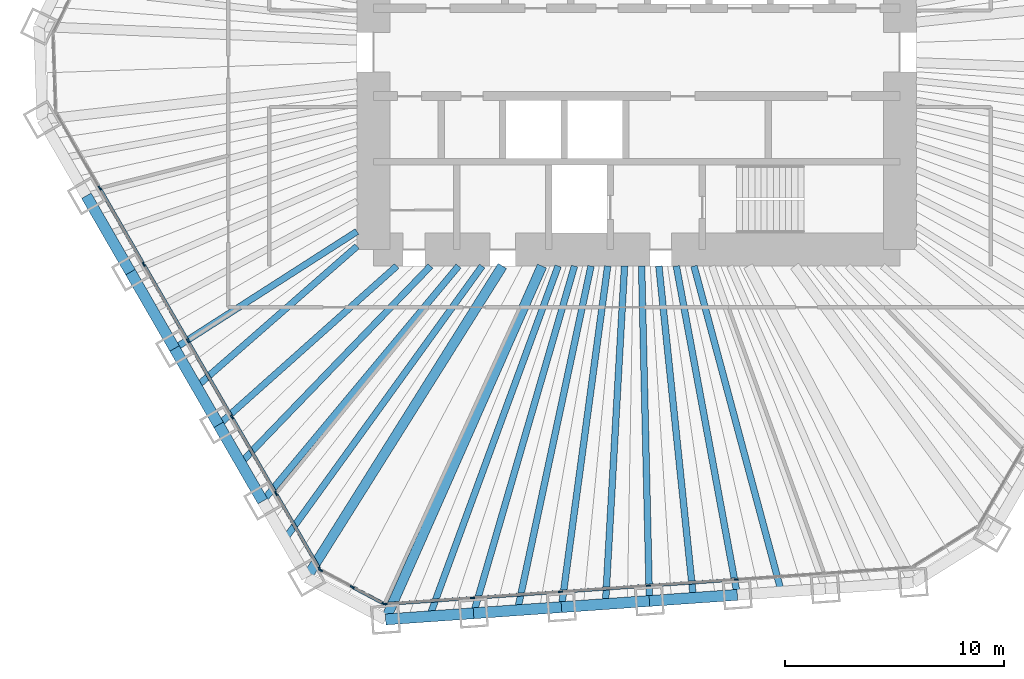
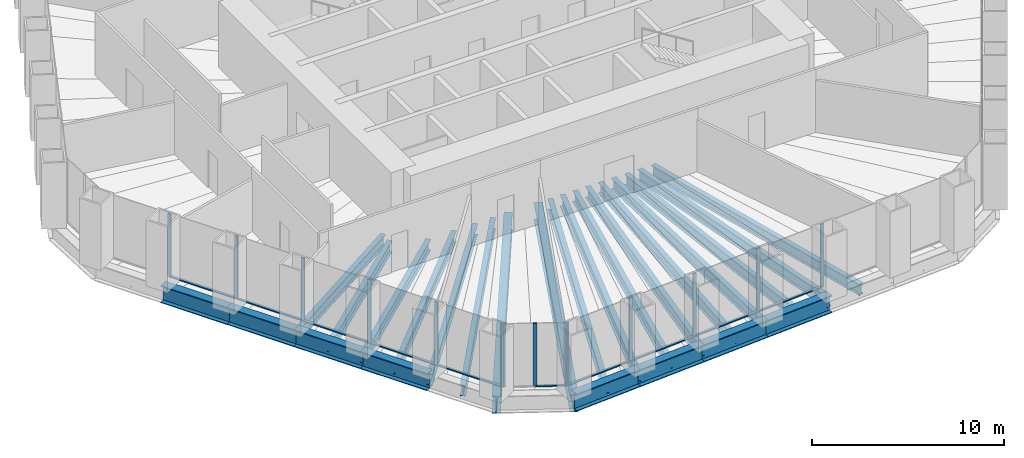
# One storey, part 2 of 13: 25 beams, 24 members, 3 elements without a shape of their own.
"""IFC4 building model written with IfcOpenShell, lengths in metres."""

from ifc_helpers import new_model, si_unit, direction, frame, origin, origin_2d, place, context, subcontext, project, spatial, rectangle, i_section, extrude, material, material_profile, profile_set, type_object, element, aggregate, save


model = new_model("IFC4")

# Units and contexts
model_context = context("Model", 3, precision=1e-05, world=origin(), true_north=direction((0.0, 1.0)))
body_context = subcontext(model_context, "Body", "Model", "MODEL_VIEW")
ifc_project = project(units=[si_unit("LENGTHUNIT", "METRE"), si_unit("AREAUNIT", "SQUARE_METRE"), si_unit("VOLUMEUNIT", "CUBIC_METRE"), si_unit("PLANEANGLEUNIT", "RADIAN"), si_unit("MASSUNIT", "GRAM", prefix="KILO")], contexts=[model_context])

# Site, building, storey
site_placement = place(None, origin())
site = spatial("IfcSite", under=ifc_project, at=site_placement, CompositionType="ELEMENT")
building_placement = place(site_placement, origin())
building = spatial("IfcBuilding", under=site, at=building_placement, Name="Qingtian Harvest Tower", CompositionType="ELEMENT")
storey_placement = place(building_placement, frame((0.0, 0.0, 149.199951171875)))
storey = spatial("IfcBuildingStorey", under=building, at=storey_placement, Name="L31", CompositionType="ELEMENT", Elevation=149.199951171875)

# Beams
ifc_material_1 = material(Name="Steel SM570MC", Category="steel")
ifc_material_profile_1 = material_profile(ifc_material_1, i_section(OverallWidth=0.449951171875, OverallDepth=1.10009765625, WebThickness=0.02197265625, FlangeThickness=0.044921875, at=origin_2d()), Name="H1100x450x22x45")
ifc_profile_set_1 = profile_set([ifc_material_profile_1], Name="Steel SM570MC")
beam_type_1 = type_object("IfcBeamType", Name="Corner floor beam FB8 H1100x450x22x45", PredefinedType="BEAM", material=ifc_profile_set_1)
beam_1_placement = place(storey_placement, frame((-11.445556640625, -25.861328125, -0.719970703125), z_axis=(0.404705702755, 0.914446988161, 0.0), x_axis=(-0.914446988161, 0.404705702755, 0.0)))
element("IfcBeam", 1, at=beam_1_placement, inside=storey, type_object=beam_type_1, Name="Floor beam FB8 S6", PredefinedType="BEAM", context=body_context, shape_type="SweptSolid", body=[
    extrude(i_section(OverallWidth=0.449951171875, OverallDepth=1.10009765625, WebThickness=0.02197265625, FlangeThickness=0.044921875, at=origin_2d()), origin(), (0.0, 0.0, 1.0), 17.61865234375),
])
beam_2_placement = place(storey_placement, frame((-15.039794921875, -23.950439453125, -0.719970703125), z_axis=(0.531797274443, 0.846871689747, 0.0), x_axis=(-0.846871689747, 0.531797274443, 0.0)))
element("IfcBeam", 2, at=beam_2_placement, inside=storey, type_object=beam_type_1, Name="Floor beam FB8 SW0", PredefinedType="BEAM", context=body_context, shape_type="SweptSolid", body=[
    extrude(i_section(OverallWidth=0.449951171875, OverallDepth=1.10009765625, WebThickness=0.02197265625, FlangeThickness=0.044921875, at=origin_2d()), origin(), (0.0, 0.0, 1.0), 16.76806640625),
])
ifc_material_2 = material(Name="Steel SN490B", Category="steel")
ifc_material_profile_2 = material_profile(ifc_material_2, i_section(OverallWidth=0.300048828125, OverallDepth=0.75, WebThickness=0.013916015625, FlangeThickness=0.02490234375, at=origin_2d()), Name="H750x300x14x25")
ifc_profile_set_2 = profile_set([ifc_material_profile_2], Name="Steel SN490B")
beam_type_2 = type_object("IfcBeamType", Name="Floor beam FB12 H750x300x14x25", PredefinedType="BEAM", material=ifc_profile_set_2)
beam_3_placement = place(storey_placement, frame((-7.436279296875, -25.5810546875, -0.544921875), z_axis=(0.279142362954, 0.960249728562, 0.0), x_axis=(-0.960249728562, 0.279142362954, 0.0)))
element("IfcBeam", 3, at=beam_3_placement, inside=storey, type_object=beam_type_2, Name="Floor beam FB12 S5", PredefinedType="BEAM", context=body_context, shape_type="SweptSolid", body=[
    extrude(i_section(OverallWidth=0.300048828125, OverallDepth=0.75, WebThickness=0.013916015625, FlangeThickness=0.02490234375, at=origin_2d()), origin(), (0.0, 0.0, 1.0), 16.486328125),
])
ifc_material_3 = material(Name="Steel SN490B", Category="steel")
ifc_material_profile_3 = material_profile(ifc_material_3, i_section(OverallWidth=0.300048828125, OverallDepth=0.699951171875, WebThickness=0.012939453125, FlangeThickness=0.02392578125, at=origin_2d()), Name="H700x300x13x24")
ifc_profile_set_3 = profile_set([ifc_material_profile_3], Name="Steel SN490B")
beam_type_3 = type_object("IfcBeamType", Name="Floor beam FB2 H700x300x13x24", PredefinedType="BEAM", material=ifc_profile_set_3)
beam_4_placement = place(storey_placement, frame((4.591552734375, -24.739990234375, -0.52001953125), z_axis=(-0.182473442032, 0.983210782565, 0.0), x_axis=(-0.983210782565, -0.182473442032, 0.0)))
element("IfcBeam", 4, at=beam_4_placement, inside=storey, type_object=beam_type_3, Name="Floor beam FB2 S2", PredefinedType="BEAM", context=body_context, shape_type="SweptSolid", body=[
    extrude(i_section(OverallWidth=0.300048828125, OverallDepth=0.699951171875, WebThickness=0.012939453125, FlangeThickness=0.02392578125, at=origin_2d()), origin(), (0.0, 0.0, 1.0), 15.245849609375),
])
beam_5_placement = place(storey_placement, frame((0.582275390625, -25.020263671875, -0.52001953125), z_axis=(-0.023272189962, 0.999729165912, 0.0), x_axis=(-0.999729165912, -0.023272189962, 0.0)))
element("IfcBeam", 5, at=beam_5_placement, inside=storey, type_object=beam_type_3, Name="Floor beam FB2 S3", PredefinedType="BEAM", context=body_context, shape_type="SweptSolid", body=[
    extrude(i_section(OverallWidth=0.300048828125, OverallDepth=0.699951171875, WebThickness=0.012939453125, FlangeThickness=0.02392578125, at=origin_2d()), origin(), (0.0, 0.0, 1.0), 15.2744140625),
])
beam_6_placement = place(storey_placement, frame((-3.427001953125, -25.30078125, -0.52001953125), z_axis=(0.134230066005, 0.990950195207, 0.0), x_axis=(-0.990950195207, 0.134230066005, 0.0)))
element("IfcBeam", 6, at=beam_6_placement, inside=storey, type_object=beam_type_3, Name="Floor beam FB2 S4", PredefinedType="BEAM", context=body_context, shape_type="SweptSolid", body=[
    extrude(i_section(OverallWidth=0.300048828125, OverallDepth=0.699951171875, WebThickness=0.012939453125, FlangeThickness=0.02392578125, at=origin_2d()), origin(), (0.0, 0.0, 1.0), 15.69287109375),
])
beam_7_placement = place(storey_placement, frame((-17.04931640625, -20.4697265625, -0.52001953125), z_axis=(0.639988150605, 0.768384778015, 0.0), x_axis=(-0.768384778015, 0.639988150605, 0.0)))
element("IfcBeam", 7, at=beam_7_placement, inside=storey, type_object=beam_type_3, Name="Floor beam FB2 SW1", PredefinedType="BEAM", context=body_context, shape_type="SweptSolid", body=[
    extrude(i_section(OverallWidth=0.300048828125, OverallDepth=0.699951171875, WebThickness=0.012939453125, FlangeThickness=0.02392578125, at=origin_2d()), origin(), (0.0, 0.0, 1.0), 13.950927734375),
])
beam_8_placement = place(storey_placement, frame((-19.058837890625, -16.989013671875, -0.52001953125), z_axis=(0.746483707908, 0.665403692376, 0.0), x_axis=(-0.665403692376, 0.746483707908, 0.0)))
element("IfcBeam", 8, at=beam_8_placement, inside=storey, type_object=beam_type_3, Name="Floor beam FB2 SW2", PredefinedType="BEAM", context=body_context, shape_type="SweptSolid", body=[
    extrude(i_section(OverallWidth=0.300048828125, OverallDepth=0.699951171875, WebThickness=0.012939453125, FlangeThickness=0.02392578125, at=origin_2d()), origin(), (0.0, 0.0, 1.0), 10.879150390625),
])
beam_9_placement = place(storey_placement, frame((-21.068359375, -13.508544921875, -0.52001953125), z_axis=(0.841823295753, 0.539753220211, 0.0), x_axis=(-0.539753220211, 0.841823295753, 0.0)))
element("IfcBeam", 9, at=beam_9_placement, inside=storey, type_object=beam_type_3, Name="Floor beam FB2 SW3", PredefinedType="BEAM", context=body_context, shape_type="SweptSolid", body=[
    extrude(i_section(OverallWidth=0.300048828125, OverallDepth=0.699951171875, WebThickness=0.012939453125, FlangeThickness=0.02392578125, at=origin_2d()), origin(), (0.0, 0.0, 1.0), 9.88134765625),
])
ifc_material_4 = material(Name="Steel SN490B", Category="steel")
ifc_material_profile_4 = material_profile(ifc_material_4, i_section(OverallWidth=0.300048828125, OverallDepth=0.699951171875, WebThickness=0.012939453125, FlangeThickness=0.02392578125, at=origin_2d()), Name="H700x300x13x24")
ifc_profile_set_4 = profile_set([ifc_material_profile_4], Name="Steel SN490B")
beam_type_4 = type_object("IfcBeamType", Name="Floor joist J2 H700x300x13x24", PredefinedType="JOIST", material=ifc_profile_set_4)
beam_10_placement = place(storey_placement, frame((6.59619140625, -24.599853515625, -0.52001953125), z_axis=(-0.258996688759, 0.965878209306, 0.0), x_axis=(-0.965878209306, -0.258996688759, 0.0)))
element("IfcBeam", 10, at=beam_10_placement, inside=storey, type_object=beam_type_4, Name="Floor joist J2 S1", PredefinedType="JOIST", context=body_context, shape_type="SweptSolid", body=[
    extrude(i_section(OverallWidth=0.300048828125, OverallDepth=0.699951171875, WebThickness=0.012939453125, FlangeThickness=0.02392578125, at=origin_2d()), origin(), (0.0, 0.0, 1.0), 15.37451171875),
])
beam_11_placement = place(storey_placement, frame((2.5869140625, -24.880126953125, -0.52001953125), z_axis=(-0.103423163361, 0.994637446148, 0.0), x_axis=(-0.994637446148, -0.103423163361, 0.0)))
element("IfcBeam", 11, at=beam_11_placement, inside=storey, type_object=beam_type_4, Name="Floor joist J2 S2", PredefinedType="JOIST", context=body_context, shape_type="SweptSolid", body=[
    extrude(i_section(OverallWidth=0.300048828125, OverallDepth=0.699951171875, WebThickness=0.012939453125, FlangeThickness=0.02392578125, at=origin_2d()), origin(), (0.0, 0.0, 1.0), 15.211669921875),
])
beam_12_placement = place(storey_placement, frame((-1.42236328125, -25.160400390625, -0.52001953125), z_axis=(0.05643626267, 0.998406204035, 0.0), x_axis=(-0.998406204035, 0.05643626267, 0.0)))
element("IfcBeam", 12, at=beam_12_placement, inside=storey, type_object=beam_type_4, Name="Floor joist J2 S3", PredefinedType="JOIST", context=body_context, shape_type="SweptSolid", body=[
    extrude(i_section(OverallWidth=0.300048828125, OverallDepth=0.699951171875, WebThickness=0.012939453125, FlangeThickness=0.02392578125, at=origin_2d()), origin(), (0.0, 0.0, 1.0), 15.43505859375),
])
beam_13_placement = place(storey_placement, frame((-5.431640625, -25.44091796875, -0.52001953125), z_axis=(0.208799533611, 0.977958462699, 0.0), x_axis=(-0.977958462699, 0.208799533611, 0.0)))
element("IfcBeam", 13, at=beam_13_placement, inside=storey, type_object=beam_type_4, Name="Floor joist J2 S4", PredefinedType="JOIST", context=body_context, shape_type="SweptSolid", body=[
    extrude(i_section(OverallWidth=0.300048828125, OverallDepth=0.699951171875, WebThickness=0.012939453125, FlangeThickness=0.02392578125, at=origin_2d()), origin(), (0.0, 0.0, 1.0), 16.044677734375),
])
beam_14_placement = place(storey_placement, frame((-9.44091796875, -25.72119140625, -0.52001953125), z_axis=(0.344563279886, 0.938763093732, 0.0), x_axis=(-0.938763093732, 0.344563279886, 0.0)))
element("IfcBeam", 14, at=beam_14_placement, inside=storey, type_object=beam_type_4, Name="Floor joist J2 S5", PredefinedType="JOIST", context=body_context, shape_type="SweptSolid", body=[
    extrude(i_section(OverallWidth=0.300048828125, OverallDepth=0.699951171875, WebThickness=0.012939453125, FlangeThickness=0.02392578125, at=origin_2d()), origin(), (0.0, 0.0, 1.0), 17.012939453125),
])
beam_15_placement = place(storey_placement, frame((-16.04443359375, -22.2099609375, -0.52001953125), z_axis=(0.585581016658, 0.810613886465, 0.0), x_axis=(-0.810613886465, 0.585581016658, 0.0)))
element("IfcBeam", 15, at=beam_15_placement, inside=storey, type_object=beam_type_4, Name="Floor joist J2 SW0", PredefinedType="JOIST", context=body_context, shape_type="SweptSolid", body=[
    extrude(i_section(OverallWidth=0.300048828125, OverallDepth=0.699951171875, WebThickness=0.012939453125, FlangeThickness=0.02392578125, at=origin_2d()), origin(), (0.0, 0.0, 1.0), 15.37109375),
])
beam_16_placement = place(storey_placement, frame((-18.053955078125, -18.7294921875, -0.52001953125), z_axis=(0.693999346894, 0.719975629108, 0.0), x_axis=(-0.719975629108, 0.693999346894, 0.0)))
element("IfcBeam", 16, at=beam_16_placement, inside=storey, type_object=beam_type_4, Name="Floor joist J2 SW1", PredefinedType="JOIST", context=body_context, shape_type="SweptSolid", body=[
    extrude(i_section(OverallWidth=0.300048828125, OverallDepth=0.699951171875, WebThickness=0.012939453125, FlangeThickness=0.02392578125, at=origin_2d()), origin(), (0.0, 0.0, 1.0), 12.471923828125),
])
beam_17_placement = place(storey_placement, frame((-20.063720703125, -15.248779296875, -0.52001953125), z_axis=(0.752618713562, 0.658456583228, 0.0), x_axis=(-0.658456583228, 0.752618713562, 0.0)))
element("IfcBeam", 17, at=beam_17_placement, inside=storey, type_object=beam_type_4, Name="Floor joist J2 SW2", PredefinedType="JOIST", context=body_context, shape_type="SweptSolid", body=[
    extrude(i_section(OverallWidth=0.300048828125, OverallDepth=0.699951171875, WebThickness=0.012939453125, FlangeThickness=0.02392578125, at=origin_2d()), origin(), (0.0, 0.0, 1.0), 9.7177734375),
])

# Curtain wall, members
ifc_material_5 = material(Name="Bronze-anodised aluminium curtain wall", Category="aluminium")
curtain_wall_type = type_object("IfcCurtainWallType", Name="Curtain wall CW4 office", PredefinedType="USERDEFINED", material=ifc_material_5)
curtain_wall_1_placement = place(storey_placement, origin())
curtain_wall_1 = element("IfcCurtainWall", 18, at=curtain_wall_1_placement, inside=storey, type_object=curtain_wall_type, Name="Curtain wall CW4 L31 S0-5", ObjectType="RECESSED CURTAIN WALL", PredefinedType="USERDEFINED")
ifc_material_6 = material(Name="Bronze-anodised aluminium mullion", Category="aluminium")
ifc_material_profile_5 = material_profile(ifc_material_6, rectangle(XDim=0.06494140625, YDim=0.199951171875, at=origin_2d()), Name="AL 65x200")
ifc_profile_set_5 = profile_set([ifc_material_profile_5], Name="Bronze-anodised aluminium mullion")
member_type_1 = type_object("IfcMemberType", Name="Mullion CWM 65x200", PredefinedType="MULLION", material=ifc_profile_set_5)
member_1_placement = place(storey_placement, frame((4.542724609375, -24.041748046875, 0.0), z_axis=(0.0, 0.0, 1.0), x_axis=(0.069756473744, -0.99756405026, 0.0)))
member_1 = element("IfcMember", 19, at=member_1_placement, type_object=member_type_1, Name="CW4 mullion 3", PredefinedType="MULLION", context=body_context, shape_type="SweptSolid", body=[
    extrude(rectangle(XDim=0.06494140625, YDim=0.199951171875, at=origin_2d()), origin(), (0.0, 0.0, 1.0), 4.030029296875),
])
member_2_placement = place(storey_placement, frame((0.533447265625, -24.322021484375, 0.0), z_axis=(0.0, 0.0, 1.0), x_axis=(0.069756473744, -0.99756405026, 0.0)))
member_2 = element("IfcMember", 20, at=member_2_placement, type_object=member_type_1, Name="CW4 mullion 4", PredefinedType="MULLION", context=body_context, shape_type="SweptSolid", body=[
    extrude(rectangle(XDim=0.06494140625, YDim=0.199951171875, at=origin_2d()), origin(), (0.0, 0.0, 1.0), 4.030029296875),
])
member_3_placement = place(storey_placement, frame((-3.475830078125, -24.602294921875, 0.0), z_axis=(0.0, 0.0, 1.0), x_axis=(0.069756473744, -0.99756405026, 0.0)))
member_3 = element("IfcMember", 21, at=member_3_placement, type_object=member_type_1, Name="CW4 mullion 5", PredefinedType="MULLION", context=body_context, shape_type="SweptSolid", body=[
    extrude(rectangle(XDim=0.06494140625, YDim=0.199951171875, at=origin_2d()), origin(), (0.0, 0.0, 1.0), 4.030029296875),
])
member_4_placement = place(storey_placement, frame((-7.485107421875, -24.8828125, 0.0), z_axis=(0.0, 0.0, 1.0), x_axis=(0.069756473744, -0.99756405026, 0.0)))
member_4 = element("IfcMember", 22, at=member_4_placement, type_object=member_type_1, Name="CW4 mullion 6", PredefinedType="MULLION", context=body_context, shape_type="SweptSolid", body=[
    extrude(rectangle(XDim=0.06494140625, YDim=0.199951171875, at=origin_2d()), origin(), (0.0, 0.0, 1.0), 4.030029296875),
])
member_5_placement = place(storey_placement, frame((-11.4619140625, -25.160888671875, 0.0), z_axis=(0.0, 0.0, 1.0), x_axis=(0.069756473744, -0.99756405026, 0.0)))
member_5 = element("IfcMember", 23, at=member_5_placement, type_object=member_type_1, Name="CW4 mullion 7", PredefinedType="MULLION", context=body_context, shape_type="SweptSolid", body=[
    extrude(rectangle(XDim=0.06494140625, YDim=0.199951171875, at=origin_2d()), origin(), (0.0, 0.0, 1.0), 4.030029296875),
])

curtain_wall_2_placement = place(storey_placement, origin())
curtain_wall_2 = element("IfcCurtainWall", 24, at=curtain_wall_2_placement, inside=storey, type_object=curtain_wall_type, Name="Curtain wall CW4 L31 SC", ObjectType="RECESSED CURTAIN WALL", PredefinedType="USERDEFINED")
member_6_placement = place(storey_placement, frame((-11.523193359375, -25.14794921875, 0.0), z_axis=(0.0, 0.0, 1.0), x_axis=(-0.469471562786, -0.882947592859, 0.0)))
member_6 = element("IfcMember", 25, at=member_6_placement, type_object=member_type_1, Name="CW4 mullion 1", PredefinedType="MULLION", context=body_context, shape_type="SweptSolid", body=[
    extrude(rectangle(XDim=0.06494140625, YDim=0.199951171875, at=origin_2d()), origin(), (0.0, 0.0, 1.0), 4.030029296875),
])
member_7_placement = place(storey_placement, frame((-12.964111328125, -24.3818359375, 0.0), z_axis=(0.0, 0.0, 1.0), x_axis=(-0.469471562786, -0.882947592859, 0.0)))
member_7 = element("IfcMember", 26, at=member_7_placement, type_object=member_type_1, Name="CW4 mullion 2", PredefinedType="MULLION", context=body_context, shape_type="SweptSolid", body=[
    extrude(rectangle(XDim=0.06494140625, YDim=0.199951171875, at=origin_2d()), origin(), (0.0, 0.0, 1.0), 4.030029296875),
])
member_8_placement = place(storey_placement, frame((-14.40478515625, -23.61572265625, 0.0), z_axis=(0.0, 0.0, 1.0), x_axis=(-0.469471562786, -0.882947592859, 0.0)))
member_8 = element("IfcMember", 27, at=member_8_placement, type_object=member_type_1, Name="CW4 mullion 3", PredefinedType="MULLION", context=body_context, shape_type="SweptSolid", body=[
    extrude(rectangle(XDim=0.06494140625, YDim=0.199951171875, at=origin_2d()), origin(), (0.0, 0.0, 1.0), 4.030029296875),
])

curtain_wall_3_placement = place(storey_placement, origin())
curtain_wall_3 = element("IfcCurtainWall", 28, at=curtain_wall_3_placement, inside=storey, type_object=curtain_wall_type, Name="Curtain wall CW4 L31 SW0-5", ObjectType="RECESSED CURTAIN WALL", PredefinedType="USERDEFINED")
member_9_placement = place(storey_placement, frame((-14.44970703125, -23.572265625, 0.0), z_axis=(0.0, 0.0, 1.0), x_axis=(-0.866025403784, -0.5, 0.0)))
member_9 = element("IfcMember", 29, at=member_9_placement, type_object=member_type_1, Name="CW4 mullion 1", PredefinedType="MULLION", context=body_context, shape_type="SweptSolid", body=[
    extrude(rectangle(XDim=0.06494140625, YDim=0.199951171875, at=origin_2d()), origin(), (0.0, 0.0, 1.0), 4.030029296875),
])
member_10_placement = place(storey_placement, frame((-16.443115234375, -20.11962890625, 0.0), z_axis=(0.0, 0.0, 1.0), x_axis=(-0.866025403784, -0.5, 0.0)))
member_10 = element("IfcMember", 30, at=member_10_placement, type_object=member_type_1, Name="CW4 mullion 2", PredefinedType="MULLION", context=body_context, shape_type="SweptSolid", body=[
    extrude(rectangle(XDim=0.06494140625, YDim=0.199951171875, at=origin_2d()), origin(), (0.0, 0.0, 1.0), 4.030029296875),
])
member_11_placement = place(storey_placement, frame((-18.45263671875, -16.63916015625, 0.0), z_axis=(0.0, 0.0, 1.0), x_axis=(-0.866025403784, -0.5, 0.0)))
member_11 = element("IfcMember", 31, at=member_11_placement, type_object=member_type_1, Name="CW4 mullion 3", PredefinedType="MULLION", context=body_context, shape_type="SweptSolid", body=[
    extrude(rectangle(XDim=0.06494140625, YDim=0.199951171875, at=origin_2d()), origin(), (0.0, 0.0, 1.0), 4.030029296875),
])
member_12_placement = place(storey_placement, frame((-20.462158203125, -13.158447265625, 0.0), z_axis=(0.0, 0.0, 1.0), x_axis=(-0.866025403784, -0.5, 0.0)))
member_12 = element("IfcMember", 32, at=member_12_placement, type_object=member_type_1, Name="CW4 mullion 4", PredefinedType="MULLION", context=body_context, shape_type="SweptSolid", body=[
    extrude(rectangle(XDim=0.06494140625, YDim=0.199951171875, at=origin_2d()), origin(), (0.0, 0.0, 1.0), 4.030029296875),
])
member_13_placement = place(storey_placement, frame((-22.4716796875, -9.677978515625, 0.0), z_axis=(0.0, 0.0, 1.0), x_axis=(-0.866025403784, -0.5, 0.0)))
member_13 = element("IfcMember", 33, at=member_13_placement, type_object=member_type_1, Name="CW4 mullion 5", PredefinedType="MULLION", context=body_context, shape_type="SweptSolid", body=[
    extrude(rectangle(XDim=0.06494140625, YDim=0.199951171875, at=origin_2d()), origin(), (0.0, 0.0, 1.0), 4.030029296875),
])
member_14_placement = place(storey_placement, frame((-24.481201171875, -6.197265625, 0.0), z_axis=(0.0, 0.0, 1.0), x_axis=(-0.866025403784, -0.5, 0.0)))
member_14 = element("IfcMember", 34, at=member_14_placement, type_object=member_type_1, Name="CW4 mullion 6", PredefinedType="MULLION", context=body_context, shape_type="SweptSolid", body=[
    extrude(rectangle(XDim=0.06494140625, YDim=0.199951171875, at=origin_2d()), origin(), (0.0, 0.0, 1.0), 4.030029296875),
])

# Beams
ifc_material_7 = material(Name="Steel SM570MC", Category="steel")
ifc_material_profile_6 = material_profile(ifc_material_7, i_section(OverallWidth=0.5, OverallDepth=1.10009765625, WebThickness=0.02490234375, FlangeThickness=0.050048828125, at=origin_2d()), Name="H1100x500x25x50")
ifc_profile_set_6 = profile_set([ifc_material_profile_6], Name="Steel SM570MC")
beam_type_5 = type_object("IfcBeamType", Name="Spandrel beam SB2 H1100x500x25x50", PredefinedType="SPANDREL", material=ifc_profile_set_6)
for number, where, z_axis, x_axis, name in (
    (35, (4.591552734375, -24.739990234375, -0.550048828125), (-0.997565479251, -0.069736035208, 0.0), (0.069736035208, -0.997565479251, 0.0), "Spandrel SB2 S2"),
    (36, (0.582275390625, -25.020263671875, -0.550048828125), (-0.997561251588, -0.069796485086, 0.0), (0.069796485086, -0.997561251588, 0.0), "Spandrel SB2 S3"),
    (37, (-3.427001953125, -25.30078125, -0.550048828125), (-0.997565479251, -0.069736035208, 0.0), (0.069736035208, -0.997565479251, 0.0), "Spandrel SB2 S4"),
    (38, (-7.436279296875, -25.5810546875, -0.550048828125), (-0.997565479251, -0.069736035208, 0.0), (0.069736035208, -0.997565479251, 0.0), "Spandrel SB2 S5"),
    (39, (-17.04931640625, -20.4697265625, -0.550048828125), (-0.499987116613, 0.866032841884, 0.0), (-0.866032841884, -0.499987116613, 0.0), "Spandrel SB2 SW1"),
    (40, (-19.058837890625, -16.989013671875, -0.550048828125), (-0.500013420409, 0.866017655369, 0.0), (-0.866017655369, -0.500013420409, 0.0), "Spandrel SB2 SW2"),
    (41, (-21.068359375, -13.508544921875, -0.550048828125), (-0.499987116613, 0.866032841884, 0.0), (-0.866032841884, -0.499987116613, 0.0), "Spandrel SB2 SW3"),
    (42, (-23.077880859375, -10.02783203125, -0.550048828125), (-0.499987116613, 0.866032841884, 0.0), (-0.866032841884, -0.499987116613, 0.0), "Spandrel SB2 SW4"),
):
    element("IfcBeam", number, at=place(storey_placement, frame(where, z_axis=z_axis, x_axis=x_axis)), inside=storey, type_object=beam_type_5, Name=name, PredefinedType="SPANDREL", context=body_context, shape_type="SweptSolid", body=[
        extrude(i_section(OverallWidth=0.5, OverallDepth=1.10009765625, WebThickness=0.02490234375, FlangeThickness=0.050048828125, at=origin_2d()), origin(), (0.0, 0.0, 1.0), 4.01904296875),
    ])

# Member
ifc_material_8 = material(Name="Bronze-anodised aluminium transom", Category="aluminium")
ifc_material_profile_7 = material_profile(ifc_material_8, rectangle(XDim=0.14990234375, YDim=0.06494140625, at=origin_2d()), Name="AL 65x150")
ifc_profile_set_7 = profile_set([ifc_material_profile_7], Name="Bronze-anodised aluminium transom")
member_type_2 = type_object("IfcMemberType", Name="Transom CWT 65x150", PredefinedType="USERDEFINED", material=ifc_profile_set_7)
member_15_placement = place(storey_placement, frame((4.51025390625, -24.0439453125, 0.032470703125), z_axis=(-0.997562922571, -0.069772598571, 0.0), x_axis=(0.069772598571, -0.997562922571, 0.0)))
member_15 = element("IfcMember", 43, at=member_15_placement, type_object=member_type_2, Name="CW4 transom 3.1", ObjectType="TRANSOM", PredefinedType="USERDEFINED", context=body_context, shape_type="SweptSolid", body=[
    extrude(rectangle(XDim=0.14990234375, YDim=0.06494140625, at=origin_2d()), origin(), (0.0, 0.0, 1.0), 3.953857421875),
])

member_16_placement = place(storey_placement, frame((0.5009765625, -24.32421875, 0.032470703125), z_axis=(-0.997562922571, -0.069772598571, 0.0), x_axis=(0.069772598571, -0.997562922571, 0.0)))
member_16 = element("IfcMember", 44, at=member_16_placement, type_object=member_type_2, Name="CW4 transom 4.1", ObjectType="TRANSOM", PredefinedType="USERDEFINED", context=body_context, shape_type="SweptSolid", body=[
    extrude(rectangle(XDim=0.14990234375, YDim=0.06494140625, at=origin_2d()), origin(), (0.0, 0.0, 1.0), 3.953857421875),
])

member_17_placement = place(storey_placement, frame((-3.50830078125, -24.604736328125, 0.032470703125), z_axis=(-0.997567218353, -0.069711153102, 0.0), x_axis=(0.069711153102, -0.997567218353, 0.0)))
member_17 = element("IfcMember", 45, at=member_17_placement, type_object=member_type_2, Name="CW4 transom 5.1", ObjectType="TRANSOM", PredefinedType="USERDEFINED", context=body_context, shape_type="SweptSolid", body=[
    extrude(rectangle(XDim=0.14990234375, YDim=0.06494140625, at=origin_2d()), origin(), (0.0, 0.0, 1.0), 3.953857421875),
])

member_18_placement = place(storey_placement, frame((-7.517578125, -24.885009765625, 0.032470703125), z_axis=(-0.997561915105, -0.069787001175, 0.0), x_axis=(0.069787001175, -0.997561915105, 0.0)))
member_18 = element("IfcMember", 46, at=member_18_placement, type_object=member_type_2, Name="CW4 transom 6.1", ObjectType="TRANSOM", PredefinedType="USERDEFINED", context=body_context, shape_type="SweptSolid", body=[
    extrude(rectangle(XDim=0.14990234375, YDim=0.06494140625, at=origin_2d()), origin(), (0.0, 0.0, 1.0), 3.921630859375),
])

aggregate(curtain_wall_1, [member_1, member_2, member_3, member_4, member_5, member_15, member_16, member_17, member_18])

member_19_placement = place(storey_placement, frame((-11.5517578125, -25.132568359375, 0.032470703125), z_axis=(-0.882960338349, 0.46944759122, 0.0), x_axis=(-0.46944759122, -0.882960338349, 0.0)))
member_19 = element("IfcMember", 47, at=member_19_placement, type_object=member_type_2, Name="CW4 transom 1.1", ObjectType="TRANSOM", PredefinedType="USERDEFINED", context=body_context, shape_type="SweptSolid", body=[
    extrude(rectangle(XDim=0.14990234375, YDim=0.06494140625, at=origin_2d()), origin(), (0.0, 0.0, 1.0), 1.56689453125),
])

aggregate(curtain_wall_2, [member_6, member_7, member_8, member_19])

member_20_placement = place(storey_placement, frame((-14.466064453125, -23.5439453125, 0.032470703125), z_axis=(-0.500002696854, 0.866023846749, 0.0), x_axis=(-0.866023846749, -0.500002696854, 0.0)))
member_20 = element("IfcMember", 48, at=member_20_placement, type_object=member_type_2, Name="CW4 transom 1.1", ObjectType="TRANSOM", PredefinedType="USERDEFINED", context=body_context, shape_type="SweptSolid", body=[
    extrude(rectangle(XDim=0.14990234375, YDim=0.06494140625, at=origin_2d()), origin(), (0.0, 0.0, 1.0), 3.92138671875),
])

member_21_placement = place(storey_placement, frame((-16.459228515625, -20.091552734375, 0.032470703125), z_axis=(-0.500003941941, 0.866023127892, 0.0), x_axis=(-0.866023127892, -0.500003941941, 0.0)))
member_21 = element("IfcMember", 49, at=member_21_placement, type_object=member_type_2, Name="CW4 transom 2.1", ObjectType="TRANSOM", PredefinedType="USERDEFINED", context=body_context, shape_type="SweptSolid", body=[
    extrude(rectangle(XDim=0.14990234375, YDim=0.06494140625, at=origin_2d()), origin(), (0.0, 0.0, 1.0), 3.9541015625),
])

member_22_placement = place(storey_placement, frame((-18.468994140625, -16.611083984375, 0.032470703125), z_axis=(-0.49993089783, 0.866065296265, 0.0), x_axis=(-0.866065296265, -0.49993089783, 0.0)))
member_22 = element("IfcMember", 50, at=member_22_placement, type_object=member_type_2, Name="CW4 transom 3.1", ObjectType="TRANSOM", PredefinedType="USERDEFINED", context=body_context, shape_type="SweptSolid", body=[
    extrude(rectangle(XDim=0.14990234375, YDim=0.06494140625, at=origin_2d()), origin(), (0.0, 0.0, 1.0), 3.9541015625),
])

member_23_placement = place(storey_placement, frame((-20.478515625, -13.13037109375, 0.032470703125), z_axis=(-0.500003941941, 0.866023127892, 0.0), x_axis=(-0.866023127892, -0.500003941941, 0.0)))
member_23 = element("IfcMember", 51, at=member_23_placement, type_object=member_type_2, Name="CW4 transom 4.1", ObjectType="TRANSOM", PredefinedType="USERDEFINED", context=body_context, shape_type="SweptSolid", body=[
    extrude(rectangle(XDim=0.14990234375, YDim=0.06494140625, at=origin_2d()), origin(), (0.0, 0.0, 1.0), 3.9541015625),
])

member_24_placement = place(storey_placement, frame((-22.488037109375, -9.649658203125, 0.032470703125), z_axis=(-0.500003941941, 0.866023127892, 0.0), x_axis=(-0.866023127892, -0.500003941941, 0.0)))
member_24 = element("IfcMember", 52, at=member_24_placement, type_object=member_type_2, Name="CW4 transom 5.1", ObjectType="TRANSOM", PredefinedType="USERDEFINED", context=body_context, shape_type="SweptSolid", body=[
    extrude(rectangle(XDim=0.14990234375, YDim=0.06494140625, at=origin_2d()), origin(), (0.0, 0.0, 1.0), 3.9541015625),
])

aggregate(curtain_wall_3, [member_9, member_10, member_11, member_12, member_13, member_14, member_20, member_21, member_22, member_23, member_24])

save(model, "model.ifc")
